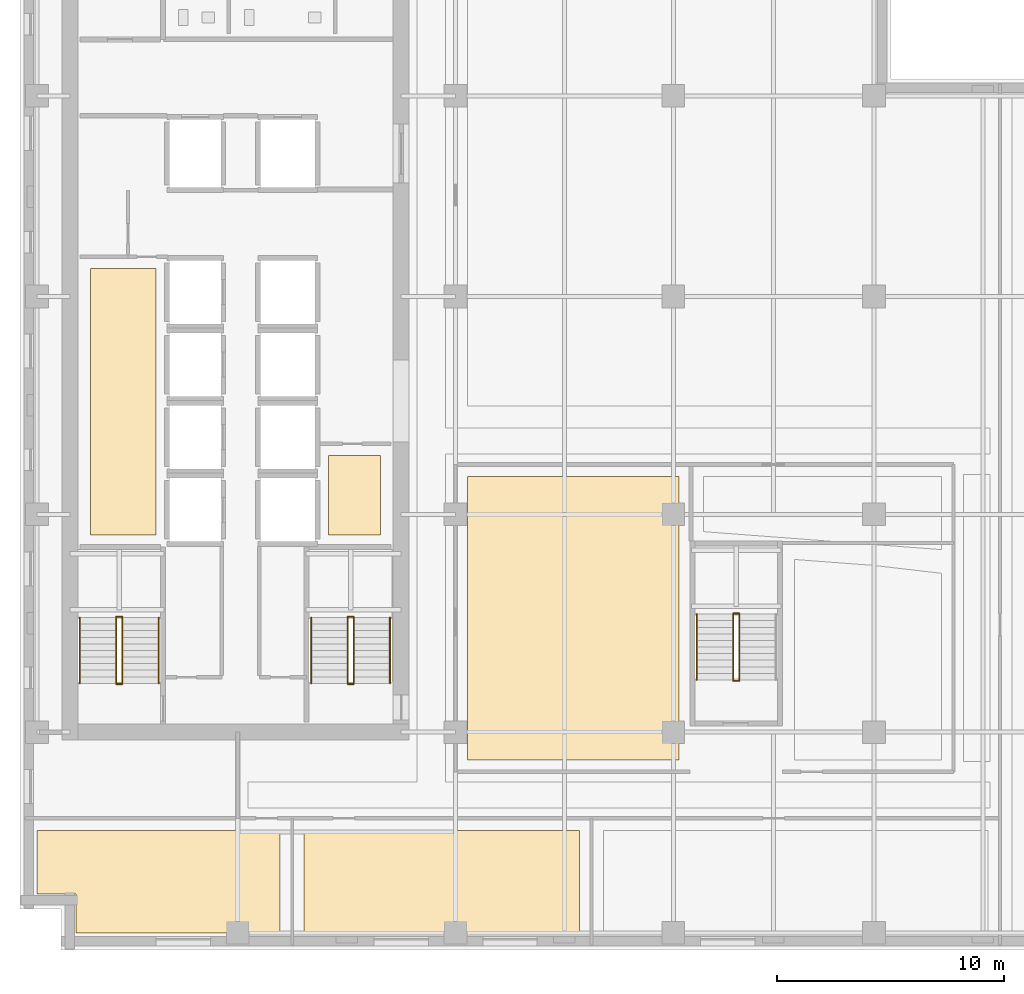
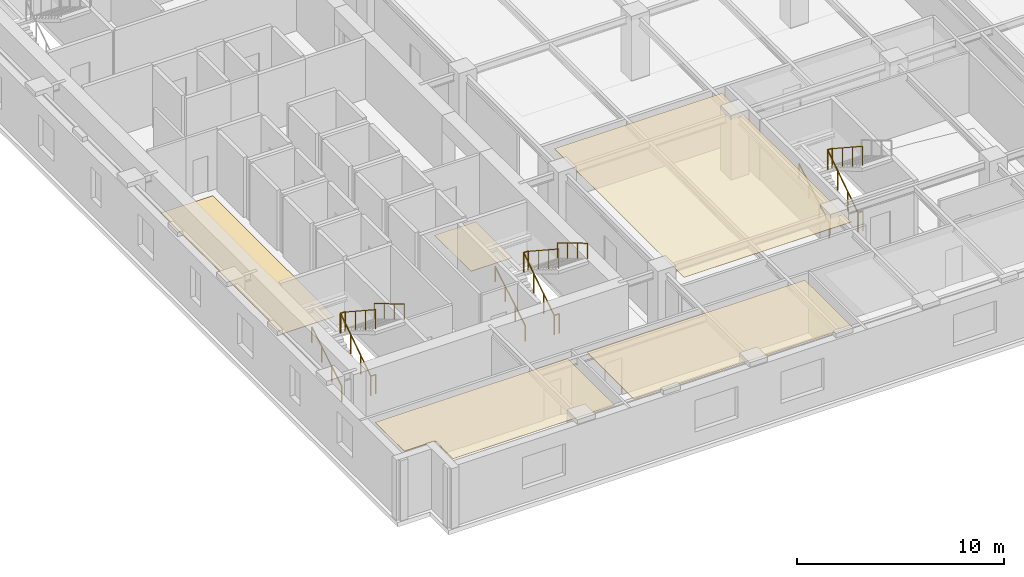
# One storey, part 8 of 12: 17 railings, 5 coverings.
"""IFC4 building model written with IfcOpenShell, lengths in metres."""

import ifcopenshell
import ifcopenshell.guid

model = None  # the IFC model being written
_history = None  # IfcOwnerHistory: only IFC2X3 demands one
_inside = {}  # id of a spatial element -> (the spatial element, [elements in it])
_under = {}  # id of a project, library or spatial element -> (it, [spatial elements below it])
_declared = {}  # id of a project -> (the project, [libraries it declares])
_typed = {}  # id of a type object -> (the type object, [elements of that type])
_made_of = {}  # id of a material, layer set ... -> (it, [elements and type objects made of it])


def new_model(schema):
    """Start an empty IFC model of exactly this schema.

    Asked for "IFC4X3", IfcOpenShell would pick the latest addendum, in which some entities
    have other attributes; the version numbers below select the first issue.
    IFC2X3 requires an IfcOwnerHistory on every rooted entity: one is made here for all.
    """
    global model, _history
    if schema == "IFC4X3":
        model = ifcopenshell.file(schema_version=(4, 3, 0, 0))
    else:
        model = ifcopenshell.file(schema=schema)
    _inside.clear()
    _under.clear()
    _declared.clear()
    _typed.clear()
    _made_of.clear()
    _history = None
    if model.schema == "IFC2X3":
        org = make("IfcOrganization", Name="unknown")
        user = make(
            "IfcPersonAndOrganization",
            ThePerson=make("IfcPerson", FamilyName="unknown"),
            TheOrganization=org,
        )
        app = make(
            "IfcApplication",
            ApplicationDeveloper=org,
            Version="unknown",
            ApplicationFullName="unknown",
            ApplicationIdentifier="unknown",
        )
        _history = make(
            "IfcOwnerHistory",
            OwningUser=user,
            OwningApplication=app,
            ChangeAction="ADDED",
            CreationDate=0,
        )
    return model


def make(cls, **values):
    """One entity of the class cls with the attributes given. An attribute that is None is left unset."""
    return model.create_entity(
        cls, **{name: value for name, value in values.items() if value is not None}
    )


def rooted(cls, **values):
    """An entity with a GlobalId (a new one), such as an element, a storey or a relation."""
    return make(cls, GlobalId=ifcopenshell.guid.new(), OwnerHistory=_history, **values)


def si_unit(unit_type, name, prefix=None):
    """IfcSIUnit, for example si_unit("LENGTHUNIT", "METRE", prefix="MILLI")."""
    return make("IfcSIUnit", UnitType=unit_type, Prefix=prefix, Name=name)


def assignment(units):
    """IfcUnitAssignment: the units of a project."""
    return None if units is None else make("IfcUnitAssignment", Units=units)


def point(xyz):
    """IfcCartesianPoint."""
    return None if xyz is None else make("IfcCartesianPoint", Coordinates=xyz)


def direction(xyz):
    """IfcDirection."""
    return None if xyz is None else make("IfcDirection", DirectionRatios=xyz)


def frame(location, z_axis=None, x_axis=None):
    """IfcAxis2Placement3D, a coordinate frame: its origin and axes. An axis left out is left unset."""
    return make(
        "IfcAxis2Placement3D",
        Location=point(location),
        Axis=direction(z_axis),
        RefDirection=direction(x_axis),
    )


def frame_2d(location, x_axis=None):
    """IfcAxis2Placement2D, a coordinate frame in the plane: its origin and x axis."""
    return make(
        "IfcAxis2Placement2D", Location=point(location), RefDirection=direction(x_axis)
    )


def origin():
    """The frame at (0, 0, 0) with its axes left unset."""
    return frame((0.0, 0.0, 0.0))


def origin_2d():
    """The frame at (0, 0) in the plane with its x axis left unset."""
    return frame_2d((0.0, 0.0))


def place(relative_to, where):
    """IfcLocalPlacement: puts the frame where relative to a parent placement (None: the world)."""
    return make(
        "IfcLocalPlacement", PlacementRelTo=relative_to, RelativePlacement=where
    )


def context(
    kind, dimensions, precision=None, world=None, true_north=None, identifier=None
):
    """IfcGeometricRepresentationContext, for example the 3D "Model" context."""
    return make(
        "IfcGeometricRepresentationContext",
        ContextIdentifier=identifier,
        ContextType=kind,
        CoordinateSpaceDimension=dimensions,
        Precision=precision,
        WorldCoordinateSystem=world,
        TrueNorth=true_north,
    )


def subcontext(parent, identifier, kind, view, scale=None):
    """IfcGeometricRepresentationSubContext, for example "Body" below "Model"."""
    return make(
        "IfcGeometricRepresentationSubContext",
        ContextIdentifier=identifier,
        ContextType=kind,
        ParentContext=parent,
        TargetScale=scale,
        TargetView=view,
    )


def project(units=None, contexts=None):
    """IfcProject with its units and contexts."""
    return rooted(
        "IfcProject",
        Name="project",
        RepresentationContexts=contexts,
        UnitsInContext=assignment(units),
    )


def spatial(cls, under=None, at=None, **own):
    """A site, building, storey or space (cls), placed at a placement, below another one or the project."""
    s = rooted(cls, ObjectPlacement=at, **own)
    if under is not None:
        _under.setdefault(under.id(), (under, []))[1].append(s)
    return s


def polyline(points):
    """IfcPolyline through the points."""
    return make("IfcPolyline", Points=[point(p) for p in points])


def profile(cls, at=None, kind="AREA", **sizes):
    """A parametric profile (cls). Its sizes go by their IFC names, for example OverallWidth=200.0."""
    return make(cls, ProfileType=kind, Position=at, **sizes)


def circle(**sizes):
    """IfcCircleProfileDef."""
    return profile("IfcCircleProfileDef", **sizes)


def outline(outer, holes=None, kind="AREA"):
    """IfcArbitraryClosedProfileDef: a profile drawn as a closed curve; with holes, ...WithVoids."""
    if holes is None:
        return make("IfcArbitraryClosedProfileDef", ProfileType=kind, OuterCurve=outer)
    return make(
        "IfcArbitraryProfileDefWithVoids",
        ProfileType=kind,
        OuterCurve=outer,
        InnerCurves=holes,
    )


def extrude(swept, where, along, depth):
    """IfcExtrudedAreaSolid: the profile swept, set in the frame where, extruded along a direction by depth."""
    return make(
        "IfcExtrudedAreaSolid",
        SweptArea=swept,
        Position=where,
        ExtrudedDirection=direction(along),
        Depth=depth,
    )


def shape(context_of_items, identifier, shape_type, items):
    """IfcShapeRepresentation: the items that make up one representation, for example the "Body"."""
    return make(
        "IfcShapeRepresentation",
        ContextOfItems=context_of_items,
        RepresentationIdentifier=identifier,
        RepresentationType=shape_type,
        Items=items,
    )


def material(Name=None, Category=None):
    """IfcMaterial."""
    return make("IfcMaterial", Name=Name, Category=Category)


def layer(
    of_material, thickness, ventilated=None, Name=None, Category=None, Priority=None
):
    """IfcMaterialLayer: one layer of a wall or slab, of a material (None: an air gap)."""
    return make(
        "IfcMaterialLayer",
        Material=of_material,
        LayerThickness=thickness,
        IsVentilated=ventilated,
        Name=Name,
        Category=Category,
        Priority=Priority,
    )


def layer_set(layers, Name=None):
    """IfcMaterialLayerSet."""
    return make("IfcMaterialLayerSet", MaterialLayers=layers, LayerSetName=Name)


def made_of(thing, what):
    """Note that an element or type object is made of a material, layer set ...; save() writes the relation."""
    if what is not None:
        _made_of.setdefault(what.id(), (what, []))[1].append(thing)
    return thing


def type_object(cls, material=None, **own):
    """A type object (cls), such as IfcWallType, which elements share."""
    return made_of(rooted(cls, **own), material)


def element(
    cls,
    number,
    at=None,
    inside=None,
    cuts=None,
    type_object=None,
    material=None,
    context=None,
    identifier="Body",
    shape_type=None,
    held_by="IfcProductDefinitionShape",
    body=None,
    shapes=None,
    **own,
):
    """One element of the class cls, such as IfcWall. Its Tag is "e" and its number.

    at: its placement. inside: the storey or other place that contains it. cuts: it is an
    opening in that element (IfcRelVoidsElement). A single representation is given by context,
    identifier, shape_type and body (its items); several are given by shapes. held_by: the class
    of the entity that holds the representations. save() writes the other relations.
    """
    e = rooted(cls, Tag="e%d" % number, ObjectPlacement=at, **own)
    if body is not None:
        shapes = [shape(context, identifier, shape_type, body)]
    if shapes is not None:
        e.Representation = make(held_by, Representations=shapes)
    if inside is not None:
        _inside.setdefault(inside.id(), (inside, []))[1].append(e)
    if cuts is not None:
        rooted(
            "IfcRelVoidsElement", RelatingBuildingElement=cuts, RelatedOpeningElement=e
        )
    if type_object is not None:
        _typed.setdefault(type_object.id(), (type_object, []))[1].append(e)
    return made_of(e, material)


def aggregate(whole, parts):
    """IfcRelAggregates: a whole, such as a stair, and the parts it consists of."""
    return rooted("IfcRelAggregates", RelatingObject=whole, RelatedObjects=parts)


def save(model, path):
    """Write the relations noted so far, then the file.

    IfcRelAggregates (storeys below a building ...), IfcRelContainedInSpatialStructure (elements
    in a storey), IfcRelDefinesByType, IfcRelAssociatesMaterial and IfcRelDeclares: one each for
    every whole, place, type object, material and project.
    """
    for whole, parts in _under.values():
        aggregate(whole, parts)
    for where, things in _inside.values():
        rooted(
            "IfcRelContainedInSpatialStructure",
            RelatedElements=things,
            RelatingStructure=where,
        )
    for kind, things in _typed.values():
        rooted("IfcRelDefinesByType", RelatedObjects=things, RelatingType=kind)
    for what, things in _made_of.values():
        rooted("IfcRelAssociatesMaterial", RelatedObjects=things, RelatingMaterial=what)
    for by, libraries in _declared.values():
        rooted("IfcRelDeclares", RelatingContext=by, RelatedDefinitions=libraries)
    model.write(path)


model = new_model("IFC4")

# Units and contexts
model_context = context("Model", 3, precision=1e-05, world=origin(), true_north=direction((0.0, 1.0)))
body_context = subcontext(model_context, "Body", "Model", "MODEL_VIEW")
ifc_project = project(units=[si_unit("LENGTHUNIT", "METRE"), si_unit("AREAUNIT", "SQUARE_METRE"), si_unit("VOLUMEUNIT", "CUBIC_METRE"), si_unit("PLANEANGLEUNIT", "RADIAN"), si_unit("MASSUNIT", "GRAM", prefix="KILO")], contexts=[model_context])

# Site, building, storey
site_placement = place(None, origin())
site = spatial("IfcSite", under=ifc_project, at=site_placement, CompositionType="ELEMENT")
building_placement = place(site_placement, origin())
building = spatial("IfcBuilding", under=site, at=building_placement, Name="Norrvale University Quadrangle", CompositionType="ELEMENT")
storey_placement = place(building_placement, frame((0.0, 0.0, 101.39990234375)))
storey = spatial("IfcBuildingStorey", under=building, at=storey_placement, Name="L25", CompositionType="ELEMENT", Elevation=101.39990234375)

# Coverings
ifc_material_1 = material(Name="Perforated Acoustic Mineral Ceiling")
ifc_layer_1 = layer(ifc_material_1, 0.02490234375, Name="Perforated Acoustic Mineral Ceiling")
ifc_layer_set_1 = layer_set([ifc_layer_1], Name="Perforated Acoustic Mineral Ceiling")
covering_type_1 = type_object("IfcCoveringType", Name="Covering Acoustic Ceiling 25", PredefinedType="CEILING", material=ifc_layer_set_1)
covering_1_placement = place(storey_placement, frame((0.0, 0.0, 3.51513671875)))
element("IfcCovering", 1, at=covering_1_placement, inside=storey, type_object=covering_type_1, Name="Acoustic Ceiling RM-L25-S01", PredefinedType="CEILING", context=body_context, shape_type="SweptSolid", body=[
    extrude(outline(polyline([(0.75, 5.27001953125), (11.469970703125, 5.27001953125), (11.469970703125, 0.75), (2.469970703125, 0.75), (2.469970703125, 2.469970703125), (0.75, 2.469970703125), (0.75, 5.27001953125)])), origin(), (0.0, 0.0, 1.0), 0.02490234375),
])
covering_2_placement = place(storey_placement, frame((0.0, 0.0, 3.51513671875)))
element("IfcCovering", 2, at=covering_2_placement, inside=storey, type_object=covering_type_1, Name="Acoustic Ceiling RM-L25-S02", PredefinedType="CEILING", context=body_context, shape_type="SweptSolid", body=[
    extrude(outline(polyline([(12.530029296875, 5.27001953125), (24.669921875, 5.27001953125), (24.669921875, 0.75), (12.530029296875, 0.75), (12.530029296875, 5.27001953125)])), origin(), (0.0, 0.0, 1.0), 0.02490234375),
])
covering_3_placement = place(storey_placement, frame((0.0, 0.0, 3.51513671875)))
element("IfcCovering", 3, at=covering_3_placement, inside=storey, type_object=covering_type_1, Name="Acoustic Ceiling RM-L25-IW1", PredefinedType="CEILING", context=body_context, shape_type="SweptSolid", body=[
    extrude(outline(polyline([(19.72998046875, 8.3798828125), (19.72998046875, 20.8701171875), (29.050048828125, 20.8701171875), (29.050048828125, 8.3798828125), (19.72998046875, 8.3798828125)])), origin(), (0.0, 0.0, 1.0), 0.02490234375),
])
ifc_material_2 = material(Name="Polished Terrazzo Flooring")
ifc_layer_2 = layer(ifc_material_2, 0.02490234375, Name="Polished Terrazzo Flooring")
ifc_layer_set_2 = layer_set([ifc_layer_2], Name="Polished Terrazzo Flooring")
covering_type_2 = type_object("IfcCoveringType", Name="Covering Terrazzo Floor 30", PredefinedType="FLOORING", material=ifc_layer_set_2)
covering_4_placement = place(storey_placement, origin())
element("IfcCovering", 4, at=covering_4_placement, inside=storey, type_object=covering_type_2, Name="Terrazzo Flooring RM-L25-JAN", PredefinedType="FLOORING", context=body_context, shape_type="SweptSolid", body=[
    extrude(outline(polyline([(13.60009765625, 18.300048828125), (13.60009765625, 21.800048828125), (15.89990234375, 21.800048828125), (15.89990234375, 18.300048828125), (13.60009765625, 18.300048828125)])), origin(), (0.0, 0.0, 1.0), 0.025146484375),
])
covering_5_placement = place(storey_placement, origin())
element("IfcCovering", 5, at=covering_5_placement, inside=storey, type_object=covering_type_2, Name="Terrazzo Flooring RM-L25-WSTOR", PredefinedType="FLOORING", context=body_context, shape_type="SweptSolid", body=[
    extrude(outline(polyline([(3.10009765625, 18.300048828125), (3.10009765625, 30.030029296875), (6.0, 30.030029296875), (6.0, 18.300048828125), (3.10009765625, 18.300048828125)])), origin(), (0.0, 0.0, 1.0), 0.025146484375),
])

# Railings
ifc_material_3 = material(Name="Steel 350W Painted Balustrade", Category="steel")
railing_type_1 = type_object("IfcRailingType", Name="Railing Stair Guard 1100", PredefinedType="GUARDRAIL", material=ifc_material_3)
for number, where, name in (
    (6, (4.239990234375, 11.719970703125, 0.0), "Stair Floor Well Guard ST-01 L25"),
    (7, (4.239990234375, 14.679931640625, 1.900146484375), "Stair Mid-Landing Slot Guard ST-01 L25"),
):
    element("IfcRailing", number, at=place(storey_placement, frame(where)), inside=storey, type_object=railing_type_1, Name=name, PredefinedType="GUARDRAIL", context=body_context, shape_type="SweptSolid", body=[
        extrude(circle(Radius=0.02392578125, at=origin_2d()), frame((0.0, 0.0, 1.1259765625), z_axis=(1.0, 0.0, 0.0), x_axis=(0.0, 1.0, 0.0)), (0.0, 0.0, 1.0), 0.27001953125),
        extrude(circle(Radius=0.02099609375, at=origin_2d()), origin(), (0.0, 0.0, 1.0), 1.101806640625),
        extrude(circle(Radius=0.02099609375, at=origin_2d()), frame((0.27001953125, 0.0, 0.0)), (0.0, 0.0, 1.0), 1.101806640625),
    ])
railing_1_placement = place(storey_placement, frame((4.239990234375, 11.75, 0.0)))
element("IfcRailing", 8, at=railing_1_placement, inside=storey, type_object=railing_type_1, Name="Stair Lower Flight Inner Guard ST-01 L25", PredefinedType="GUARDRAIL", context=body_context, shape_type="SweptSolid", body=[
    extrude(circle(Radius=0.02392578125, at=origin_2d()), frame((0.0, 0.0, 1.1259765625), z_axis=(0.0, 0.836433300813, 0.548068730445), x_axis=(-1.0, 0.0, 0.0)), (0.0, 0.0, 1.0), 3.467041015625),
    extrude(circle(Radius=0.02099609375, at=origin_2d()), origin(), (0.0, 0.0, 1.0), 1.101806640625),
    extrude(circle(Radius=0.02099609375, at=origin_2d()), frame((0.0, 0.966552734375, 0.63330078125)), (0.0, 0.0, 1.0), 1.101806640625),
    extrude(circle(Radius=0.02099609375, at=origin_2d()), frame((0.0, 1.933349609375, 1.266845703125)), (0.0, 0.0, 1.0), 1.101806640625),
    extrude(circle(Radius=0.02099609375, at=origin_2d()), frame((0.0, 2.89990234375, 1.900146484375)), (0.0, 0.0, 1.0), 1.101806640625),
])
railing_2_placement = place(storey_placement, frame((4.510009765625, 14.64990234375, 1.900146484375)))
element("IfcRailing", 9, at=railing_2_placement, inside=storey, type_object=railing_type_1, Name="Stair Upper Flight Inner Guard ST-01 L25", PredefinedType="GUARDRAIL", context=body_context, shape_type="SweptSolid", body=[
    extrude(circle(Radius=0.02392578125, at=origin_2d()), frame((0.0, 0.0, 1.1259765625), z_axis=(0.0, -0.836465582154, 0.548019461216), x_axis=(1.0, 0.0, 0.0)), (0.0, 0.0, 1.0), 3.466796875),
    extrude(circle(Radius=0.02099609375, at=origin_2d()), origin(), (0.0, 0.0, 1.0), 1.101806640625),
    extrude(circle(Radius=0.02099609375, at=origin_2d()), frame((0.0, -0.966552734375, 0.63330078125)), (0.0, 0.0, 1.0), 1.101806640625),
    extrude(circle(Radius=0.02099609375, at=origin_2d()), frame((0.0, -1.933349609375, 1.2666015625)), (0.0, 0.0, 1.0), 1.101806640625),
    extrude(circle(Radius=0.02099609375, at=origin_2d()), frame((0.0, -2.89990234375, 1.89990234375)), (0.0, 0.0, 1.0), 1.101806640625),
])
for number, where, name in (
    (10, (14.43994140625, 11.719970703125, 0.0), "Stair Floor Well Guard ST-03 L25"),
    (11, (14.43994140625, 14.679931640625, 1.900146484375), "Stair Mid-Landing Slot Guard ST-03 L25"),
):
    element("IfcRailing", number, at=place(storey_placement, frame(where)), inside=storey, type_object=railing_type_1, Name=name, PredefinedType="GUARDRAIL", context=body_context, shape_type="SweptSolid", body=[
        extrude(circle(Radius=0.02392578125, at=origin_2d()), frame((0.0, 0.0, 1.1259765625), z_axis=(1.0, 0.0, 0.0), x_axis=(0.0, 1.0, 0.0)), (0.0, 0.0, 1.0), 0.27001953125),
        extrude(circle(Radius=0.02099609375, at=origin_2d()), origin(), (0.0, 0.0, 1.0), 1.101806640625),
        extrude(circle(Radius=0.02099609375, at=origin_2d()), frame((0.27001953125, 0.0, 0.0)), (0.0, 0.0, 1.0), 1.101806640625),
    ])
railing_3_placement = place(storey_placement, frame((14.43994140625, 11.75, 0.0)))
element("IfcRailing", 12, at=railing_3_placement, inside=storey, type_object=railing_type_1, Name="Stair Lower Flight Inner Guard ST-03 L25", PredefinedType="GUARDRAIL", context=body_context, shape_type="SweptSolid", body=[
    extrude(circle(Radius=0.02392578125, at=origin_2d()), frame((0.0, 0.0, 1.1259765625), z_axis=(0.0, 0.836433300813, 0.548068730445), x_axis=(-1.0, 0.0, 0.0)), (0.0, 0.0, 1.0), 3.467041015625),
    extrude(circle(Radius=0.02099609375, at=origin_2d()), origin(), (0.0, 0.0, 1.0), 1.101806640625),
    extrude(circle(Radius=0.02099609375, at=origin_2d()), frame((0.0, 0.966552734375, 0.63330078125)), (0.0, 0.0, 1.0), 1.101806640625),
    extrude(circle(Radius=0.02099609375, at=origin_2d()), frame((0.0, 1.933349609375, 1.266845703125)), (0.0, 0.0, 1.0), 1.101806640625),
    extrude(circle(Radius=0.02099609375, at=origin_2d()), frame((0.0, 2.89990234375, 1.900146484375)), (0.0, 0.0, 1.0), 1.101806640625),
])
railing_4_placement = place(storey_placement, frame((14.7099609375, 14.64990234375, 1.900146484375)))
element("IfcRailing", 13, at=railing_4_placement, inside=storey, type_object=railing_type_1, Name="Stair Upper Flight Inner Guard ST-03 L25", PredefinedType="GUARDRAIL", context=body_context, shape_type="SweptSolid", body=[
    extrude(circle(Radius=0.02392578125, at=origin_2d()), frame((0.0, 0.0, 1.1259765625), z_axis=(0.0, -0.836465582154, 0.548019461216), x_axis=(1.0, 0.0, 0.0)), (0.0, 0.0, 1.0), 3.466796875),
    extrude(circle(Radius=0.02099609375, at=origin_2d()), origin(), (0.0, 0.0, 1.0), 1.101806640625),
    extrude(circle(Radius=0.02099609375, at=origin_2d()), frame((0.0, -0.966552734375, 0.63330078125)), (0.0, 0.0, 1.0), 1.101806640625),
    extrude(circle(Radius=0.02099609375, at=origin_2d()), frame((0.0, -1.933349609375, 1.2666015625)), (0.0, 0.0, 1.0), 1.101806640625),
    extrude(circle(Radius=0.02099609375, at=origin_2d()), frame((0.0, -2.89990234375, 1.89990234375)), (0.0, 0.0, 1.0), 1.101806640625),
])
for number, where, name in (
    (14, (31.43994140625, 11.8701171875, 0.0), "Stair Floor Well Guard ST-04 L25"),
    (15, (31.43994140625, 14.830078125, 1.900146484375), "Stair Mid-Landing Slot Guard ST-04 L25"),
):
    element("IfcRailing", number, at=place(storey_placement, frame(where)), inside=storey, type_object=railing_type_1, Name=name, PredefinedType="GUARDRAIL", context=body_context, shape_type="SweptSolid", body=[
        extrude(circle(Radius=0.02392578125, at=origin_2d()), frame((0.0, 0.0, 1.1259765625), z_axis=(1.0, 0.0, 0.0), x_axis=(0.0, 1.0, 0.0)), (0.0, 0.0, 1.0), 0.27001953125),
        extrude(circle(Radius=0.02099609375, at=origin_2d()), origin(), (0.0, 0.0, 1.0), 1.101806640625),
        extrude(circle(Radius=0.02099609375, at=origin_2d()), frame((0.27001953125, 0.0, 0.0)), (0.0, 0.0, 1.0), 1.101806640625),
    ])
railing_5_placement = place(storey_placement, frame((31.43994140625, 11.89990234375, 0.0)))
element("IfcRailing", 16, at=railing_5_placement, inside=storey, type_object=railing_type_1, Name="Stair Lower Flight Inner Guard ST-04 L25", PredefinedType="GUARDRAIL", context=body_context, shape_type="SweptSolid", body=[
    extrude(circle(Radius=0.02392578125, at=origin_2d()), frame((0.0, 0.0, 1.1259765625), z_axis=(0.0, 0.836454451266, 0.548036450392), x_axis=(-1.0, 0.0, 0.0)), (0.0, 0.0, 1.0), 3.46728515625),
    extrude(circle(Radius=0.02099609375, at=origin_2d()), origin(), (0.0, 0.0, 1.0), 1.101806640625),
    extrude(circle(Radius=0.02099609375, at=origin_2d()), frame((0.0, 0.966796875, 0.63330078125)), (0.0, 0.0, 1.0), 1.101806640625),
    extrude(circle(Radius=0.02099609375, at=origin_2d()), frame((0.0, 1.933349609375, 1.266845703125)), (0.0, 0.0, 1.0), 1.101806640625),
    extrude(circle(Radius=0.02099609375, at=origin_2d()), frame((0.0, 2.900146484375, 1.900146484375)), (0.0, 0.0, 1.0), 1.101806640625),
])
railing_6_placement = place(storey_placement, frame((31.7099609375, 14.800048828125, 1.900146484375)))
element("IfcRailing", 17, at=railing_6_placement, inside=storey, type_object=railing_type_1, Name="Stair Upper Flight Inner Guard ST-04 L25", PredefinedType="GUARDRAIL", context=body_context, shape_type="SweptSolid", body=[
    extrude(circle(Radius=0.02392578125, at=origin_2d()), frame((0.0, 0.0, 1.1259765625), z_axis=(0.0, -0.836486729621, 0.547987181573), x_axis=(1.0, 0.0, 0.0)), (0.0, 0.0, 1.0), 3.467041015625),
    extrude(circle(Radius=0.02099609375, at=origin_2d()), origin(), (0.0, 0.0, 1.0), 1.101806640625),
    extrude(circle(Radius=0.02099609375, at=origin_2d()), frame((0.0, -0.966796875, 0.63330078125)), (0.0, 0.0, 1.0), 1.101806640625),
    extrude(circle(Radius=0.02099609375, at=origin_2d()), frame((0.0, -1.933349609375, 1.2666015625)), (0.0, 0.0, 1.0), 1.101806640625),
    extrude(circle(Radius=0.02099609375, at=origin_2d()), frame((0.0, -2.900146484375, 1.89990234375)), (0.0, 0.0, 1.0), 1.101806640625),
])
ifc_material_4 = material(Name="Stainless Steel 316L Handrail", Category="steel")
railing_type_2 = type_object("IfcRailingType", Name="Railing Stair Handrail 920", PredefinedType="HANDRAIL", material=ifc_material_4)
railing_7_placement = place(storey_placement, frame((2.639892578125, 11.75, 0.1728515625)))
element("IfcRailing", 18, at=railing_7_placement, inside=storey, type_object=railing_type_2, Name="Stair Lower Flight Handrail ST-01 L25", PredefinedType="HANDRAIL", context=body_context, shape_type="SweptSolid", body=[
    extrude(circle(Radius=0.02392578125, at=origin_2d()), frame((0.0, 0.0, 0.89599609375), z_axis=(0.0, 0.859141464434, 0.511738159696), x_axis=(-1.0, 0.0, 0.0)), (0.0, 0.0, 1.0), 3.375244140625),
    extrude(circle(Radius=0.02099609375, at=origin_2d()), origin(), (0.0, 0.0, 1.0), 0.871826171875),
    extrude(circle(Radius=0.02099609375, at=origin_2d()), frame((0.0, 0.966552734375, 0.57568359375)), (0.0, 0.0, 1.0), 0.871826171875),
    extrude(circle(Radius=0.02099609375, at=origin_2d()), frame((0.0, 1.933349609375, 1.151611328125)), (0.0, 0.0, 1.0), 0.871826171875),
    extrude(circle(Radius=0.02099609375, at=origin_2d()), frame((0.0, 2.89990234375, 1.727294921875)), (0.0, 0.0, 1.0), 0.871826171875),
])
railing_8_placement = place(storey_placement, frame((6.110107421875, 14.64990234375, 2.07275390625)))
element("IfcRailing", 19, at=railing_8_placement, inside=storey, type_object=railing_type_2, Name="Stair Upper Flight Handrail ST-01 L25", PredefinedType="HANDRAIL", context=body_context, shape_type="SweptSolid", body=[
    extrude(circle(Radius=0.02392578125, at=origin_2d()), frame((0.0, 0.0, 0.89599609375), z_axis=(0.0, -0.859141464434, 0.511738159696), x_axis=(1.0, 0.0, 0.0)), (0.0, 0.0, 1.0), 3.375244140625),
    extrude(circle(Radius=0.02099609375, at=origin_2d()), origin(), (0.0, 0.0, 1.0), 0.871826171875),
    extrude(circle(Radius=0.02099609375, at=origin_2d()), frame((0.0, -0.966552734375, 0.57568359375)), (0.0, 0.0, 1.0), 0.871826171875),
    extrude(circle(Radius=0.02099609375, at=origin_2d()), frame((0.0, -1.933349609375, 1.151611328125)), (0.0, 0.0, 1.0), 0.871826171875),
    extrude(circle(Radius=0.02099609375, at=origin_2d()), frame((0.0, -2.89990234375, 1.727294921875)), (0.0, 0.0, 1.0), 0.871826171875),
])
railing_9_placement = place(storey_placement, frame((12.840087890625, 11.75, 0.1728515625)))
element("IfcRailing", 20, at=railing_9_placement, inside=storey, type_object=railing_type_2, Name="Stair Lower Flight Handrail ST-03 L25", PredefinedType="HANDRAIL", context=body_context, shape_type="SweptSolid", body=[
    extrude(circle(Radius=0.02392578125, at=origin_2d()), frame((0.0, 0.0, 0.89599609375), z_axis=(0.0, 0.859141464434, 0.511738159696), x_axis=(-1.0, 0.0, 0.0)), (0.0, 0.0, 1.0), 3.375244140625),
    extrude(circle(Radius=0.02099609375, at=origin_2d()), origin(), (0.0, 0.0, 1.0), 0.871826171875),
    extrude(circle(Radius=0.02099609375, at=origin_2d()), frame((0.0, 0.966552734375, 0.57568359375)), (0.0, 0.0, 1.0), 0.871826171875),
    extrude(circle(Radius=0.02099609375, at=origin_2d()), frame((0.0, 1.933349609375, 1.151611328125)), (0.0, 0.0, 1.0), 0.871826171875),
    extrude(circle(Radius=0.02099609375, at=origin_2d()), frame((0.0, 2.89990234375, 1.727294921875)), (0.0, 0.0, 1.0), 0.871826171875),
])
railing_10_placement = place(storey_placement, frame((16.31005859375, 14.64990234375, 2.07275390625)))
element("IfcRailing", 21, at=railing_10_placement, inside=storey, type_object=railing_type_2, Name="Stair Upper Flight Handrail ST-03 L25", PredefinedType="HANDRAIL", context=body_context, shape_type="SweptSolid", body=[
    extrude(circle(Radius=0.02392578125, at=origin_2d()), frame((0.0, 0.0, 0.89599609375), z_axis=(0.0, -0.859141464434, 0.511738159696), x_axis=(1.0, 0.0, 0.0)), (0.0, 0.0, 1.0), 3.375244140625),
    extrude(circle(Radius=0.02099609375, at=origin_2d()), origin(), (0.0, 0.0, 1.0), 0.871826171875),
    extrude(circle(Radius=0.02099609375, at=origin_2d()), frame((0.0, -0.966552734375, 0.57568359375)), (0.0, 0.0, 1.0), 0.871826171875),
    extrude(circle(Radius=0.02099609375, at=origin_2d()), frame((0.0, -1.933349609375, 1.151611328125)), (0.0, 0.0, 1.0), 0.871826171875),
    extrude(circle(Radius=0.02099609375, at=origin_2d()), frame((0.0, -2.89990234375, 1.727294921875)), (0.0, 0.0, 1.0), 0.871826171875),
])
railing_11_placement = place(storey_placement, frame((29.840087890625, 11.89990234375, 0.1728515625)))
element("IfcRailing", 22, at=railing_11_placement, inside=storey, type_object=railing_type_2, Name="Stair Lower Flight Handrail ST-04 L25", PredefinedType="HANDRAIL", context=body_context, shape_type="SweptSolid", body=[
    extrude(circle(Radius=0.02392578125, at=origin_2d()), frame((0.0, 0.0, 0.89599609375), z_axis=(0.0, 0.859160404282, 0.51170636083), x_axis=(-1.0, 0.0, 0.0)), (0.0, 0.0, 1.0), 3.37548828125),
    extrude(circle(Radius=0.02099609375, at=origin_2d()), origin(), (0.0, 0.0, 1.0), 0.871826171875),
    extrude(circle(Radius=0.02099609375, at=origin_2d()), frame((0.0, 0.966796875, 0.57568359375)), (0.0, 0.0, 1.0), 0.871826171875),
    extrude(circle(Radius=0.02099609375, at=origin_2d()), frame((0.0, 1.933349609375, 1.151611328125)), (0.0, 0.0, 1.0), 0.871826171875),
    extrude(circle(Radius=0.02099609375, at=origin_2d()), frame((0.0, 2.900146484375, 1.727294921875)), (0.0, 0.0, 1.0), 0.871826171875),
])

save(model, "model.ifc")
